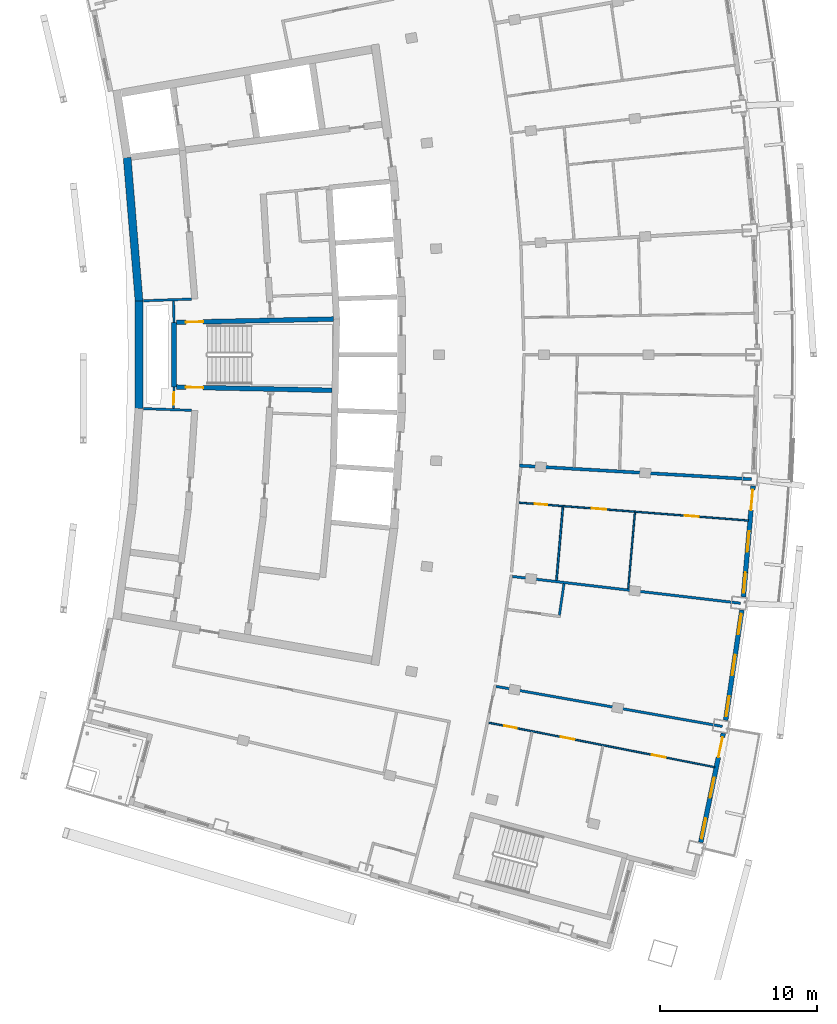
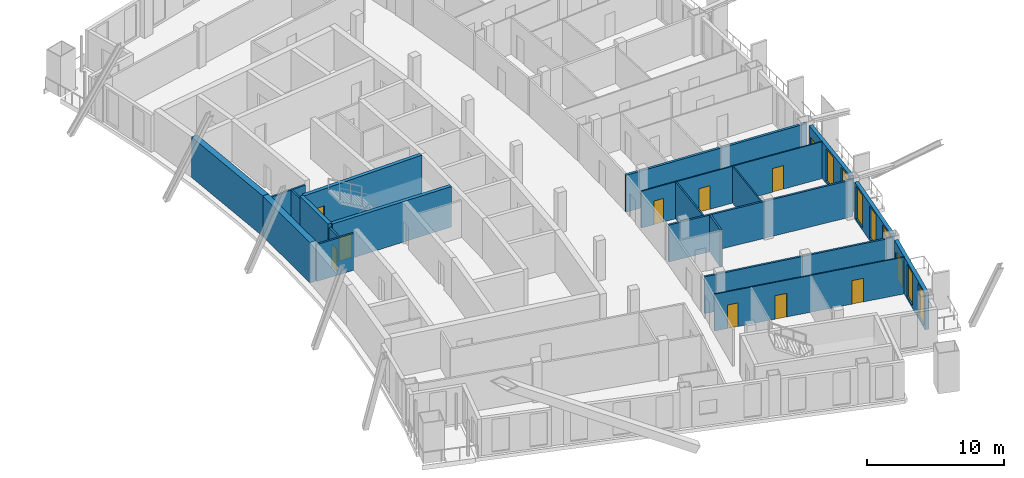
# One storey, part 9 of 17: 20 walls, 11 doors, 7 windows, 18 openings.
"""IFC4 building model written with IfcOpenShell, lengths in metres."""

from ifc_helpers import new_model, si_unit, direction, frame, frame_2d, origin, place, context, subcontext, project, spatial, rectangle, extrude, material, layer, layer_set, type_object, element, fill, save


model = new_model("IFC4")

# Units and contexts
model_context = context("Model", 3, precision=1e-05, world=origin(), true_north=direction((0.0, 1.0)))
body_context = subcontext(model_context, "Body", "Model", "MODEL_VIEW")
ifc_project = project(units=[si_unit("LENGTHUNIT", "METRE"), si_unit("AREAUNIT", "SQUARE_METRE"), si_unit("VOLUMEUNIT", "CUBIC_METRE"), si_unit("PLANEANGLEUNIT", "RADIAN"), si_unit("MASSUNIT", "GRAM", prefix="KILO")], contexts=[model_context])

# Site, building, storey
site_placement = place(None, origin())
site = spatial("IfcSite", under=ifc_project, at=site_placement, CompositionType="ELEMENT")
building_placement = place(site_placement, origin())
building = spatial("IfcBuilding", under=site, at=building_placement, Name="Alderwake Tower", CompositionType="ELEMENT")
storey_placement = place(building_placement, frame((0.0, 0.0, 278.0)))
storey = spatial("IfcBuildingStorey", under=building, at=storey_placement, Name="L69", CompositionType="ELEMENT", Elevation=278.0)

# Wall, opening, door
ifc_material_1 = material(Name="Gypsum shaft wall system, rated")
ifc_layer_1 = layer(ifc_material_1, 0.14990234375)
ifc_layer_set_1 = layer_set([ifc_layer_1], Name="Core room partition 150")
wall_type_1 = type_object("IfcWallType", Name="Core room partition 150", PredefinedType="PARTITIONING", material=ifc_layer_set_1)
wall_1_placement = place(storey_placement, frame((18.918701171875, 58.94384765625, 0.0), z_axis=(0.0, 0.0, 1.0), x_axis=(-0.027811602725, -0.999613182563, 0.0)))
wall_1 = element("IfcWall", 1, at=wall_1_placement, inside=storey, type_object=wall_type_1, Name="CW/L69/PA+24_-37", PredefinedType="PARTITIONING", context=body_context, shape_type="SweptSolid", body=[
    extrude(rectangle(XDim=1.369384765625, YDim=0.14990234375, at=frame_2d((0.6845703125, 0.0))), origin(), (0.0, 0.0, 1.0), 3.280029296875),
])
opening_1_placement = place(wall_1_placement, frame((0.322998046875, 0.0, 0.0)))
opening_1 = element("IfcOpeningElement", 2, at=opening_1_placement, cuts=wall_1, Name="Opening C004", PredefinedType="OPENING", context=body_context, shape_type="SweptSolid", body=[
    extrude(rectangle(XDim=0.800048828125, YDim=2.0, at=frame_2d((0.39990234375, 1.0))), frame((0.0, 0.0849609375, 0.0), z_axis=(0.0, -1.0, 0.0), x_axis=(1.0, 0.0, 0.0)), (0.0, 0.0, 1.0), 0.169921875),
])
ifc_material_2 = material(Name="Painted steel leaf, rated", Category="steel")
door_type_1 = type_object("IfcDoorType", Name="Riser access door 800", OperationType="SINGLE_SWING_LEFT", PredefinedType="DOOR", material=ifc_material_2)
door_1_placement = place(opening_1_placement, origin())
door_1 = element("IfcDoor", 3, at=door_1_placement, inside=storey, type_object=door_type_1, Name="Riser access door", OperationType="SINGLE_SWING_RIGHT", OverallHeight=2.0, OverallWidth=0.800048828125, PredefinedType="DOOR", context=body_context, shape_type="SweptSolid", body=[
    extrude(rectangle(XDim=0.800048828125, YDim=2.0, at=frame_2d((0.39990234375, 1.0))), frame((0.0, 0.02490234375, 0.0), z_axis=(0.0, -1.0, 0.0), x_axis=(1.0, 0.0, 0.0)), (0.0, 0.0, 1.0), 0.050048828125),
])
fill(opening_1, door_1)

# Walls
wall_2_placement = place(storey_placement, frame((18.918701171875, 63.05517578125, 0.0), z_axis=(0.0, 0.0, 1.0), x_axis=(-0.027791791559, 0.99961373356, 0.0)))
element("IfcWall", 4, at=wall_2_placement, inside=storey, type_object=wall_type_1, Name="CW/L69/PA+24_+22", PredefinedType="PARTITIONING", context=body_context, shape_type="SweptSolid", body=[
    extrude(rectangle(XDim=1.370361328125, YDim=0.14990234375, at=frame_2d((0.68505859375, 0.0))), origin(), (0.0, 0.0, 1.0), 3.280029296875),
])
for number, where, z_axis, x_axis, name in (
    (5, (16.969482421875, 57.5673828125, 0.0), (0.0, 0.0, 1.0), (0.999376258731, -0.035314210814, 0.0), "CW/L69/PR-37_+0"),
    (6, (16.969482421875, 64.4326171875, 0.0), (0.0, 0.0, 1.0), (0.999376258731, 0.035314210814, 0.0), "CW/L69/PR+37_+0"),
):
    element("IfcWall", number, at=place(storey_placement, frame(where, z_axis=z_axis, x_axis=x_axis)), inside=storey, type_object=wall_type_1, Name=name, PredefinedType="PARTITIONING", context=body_context, shape_type="SweptSolid", body=[
        extrude(rectangle(XDim=3.069580078125, YDim=0.14990234375, at=frame_2d((1.53466796875, 0.0))), origin(), (0.0, 0.0, 1.0), 3.280029296875),
    ])
ifc_material_3 = material(Name="Concrete C70/85", Category="concrete")
ifc_layer_2 = layer(ifc_material_3, 0.5)
ifc_layer_set_2 = layer_set([ifc_layer_2], Name="Core wall outer 500 C70-85")
wall_type_2 = type_object("IfcWallType", Name="Core wall outer 500 C70-85", PredefinedType="SHEAR", material=ifc_layer_set_2)
wall_3_placement = place(storey_placement, frame((16.689453125, 57.568603515625, 0.0), z_axis=(0.0, 0.0, 1.0), x_axis=(0.0, 1.0, 0.0)))
element("IfcWall", 7, at=wall_3_placement, inside=storey, type_object=wall_type_2, Name="Core wall CW.029", PredefinedType="SHEAR", context=body_context, shape_type="SweptSolid", body=[
    extrude(rectangle(XDim=6.86474609375, YDim=0.5, at=frame_2d((3.432373046875, 0.0))), origin(), (0.0, 0.0, 1.0), 3.60009765625),
])
wall_4_placement = place(storey_placement, frame((16.690185546875, 64.41162109375, 0.0), z_axis=(0.0, 0.0, 1.0), x_axis=(-0.082611702064, 0.996581811334, 0.0)))
element("IfcWall", 8, at=wall_4_placement, inside=storey, type_object=wall_type_2, Name="Core wall CW.026", PredefinedType="SHEAR", context=body_context, shape_type="SweptSolid", body=[
    extrude(rectangle(XDim=9.176025390625, YDim=0.5, at=frame_2d((4.587890625, 0.0))), origin(), (0.0, 0.0, 1.0), 3.60009765625),
])
ifc_material_4 = material(Name="Concrete C70/85", Category="concrete")
ifc_layer_3 = layer(ifc_material_4, 0.300048828125)
ifc_layer_set_3 = layer_set([ifc_layer_3], Name="Core wall stair enclosure 300 C70-85")
wall_type_3 = type_object("IfcWallType", Name="Core wall stair enclosure 300 C70-85", PredefinedType="SHEAR", material=ifc_layer_set_3)
wall_5_placement = place(storey_placement, frame((18.918701171875, 58.940673828125, 0.0), z_axis=(0.0, 0.0, 1.0), x_axis=(0.0, 1.0, 0.0)))
element("IfcWall", 9, at=wall_5_placement, inside=storey, type_object=wall_type_3, Name="Core wall CW.024", PredefinedType="SHEAR", context=body_context, shape_type="SweptSolid", body=[
    extrude(rectangle(XDim=4.11962890625, YDim=0.300048828125, at=frame_2d((2.059814453125, 0.0))), origin(), (0.0, 0.0, 1.0), 3.60009765625),
])

# Wall, opening, door
wall_6_placement = place(storey_placement, frame((28.975830078125, 58.733154296875, 0.0), z_axis=(0.0, 0.0, 1.0), x_axis=(-0.999783782948, 0.020793925895, 0.0)))
wall_6 = element("IfcWall", 10, at=wall_6_placement, inside=storey, type_object=wall_type_3, Name="Core wall CW.074", PredefinedType="SHEAR", context=body_context, shape_type="SweptSolid", body=[
    extrude(rectangle(XDim=9.909423828125, YDim=0.300048828125, at=frame_2d((4.95458984375, 0.0))), origin(), (0.0, 0.0, 1.0), 3.60009765625),
])
opening_2_placement = place(wall_6_placement, frame((8.20947265625, 0.0, 0.0)))
opening_2 = element("IfcOpeningElement", 11, at=opening_2_placement, cuts=wall_6, Name="Opening C063", PredefinedType="OPENING", context=body_context, shape_type="SweptSolid", body=[
    extrude(rectangle(XDim=1.10009765625, YDim=2.10009765625, at=frame_2d((0.550048828125, 1.050048828125))), frame((0.0, 0.159912109375, 0.0), z_axis=(0.0, -1.0, 0.0), x_axis=(1.0, 0.0, 0.0)), (0.0, 0.0, 1.0), 0.320068359375),
])
ifc_material_5 = material(Name="Steel-framed fire door leaf", Category="steel")
door_type_2 = type_object("IfcDoorType", Name="Core stair door 1100 fire-rated", OperationType="SINGLE_SWING_LEFT", PredefinedType="DOOR", material=ifc_material_5)
door_2_placement = place(opening_2_placement, origin())
door_2 = element("IfcDoor", 12, at=door_2_placement, inside=storey, type_object=door_type_2, Name="Stair door", OperationType="SINGLE_SWING_LEFT", OverallHeight=2.10009765625, OverallWidth=1.10009765625, PredefinedType="DOOR", context=body_context, shape_type="SweptSolid", body=[
    extrude(rectangle(XDim=1.10009765625, YDim=2.10009765625, at=frame_2d((0.550048828125, 1.050048828125))), frame((0.0, 0.02490234375, 0.0), z_axis=(0.0, -1.0, 0.0), x_axis=(1.0, 0.0, 0.0)), (0.0, 0.0, 1.0), 0.050048828125),
])
fill(opening_2, door_2)

wall_7_placement = place(storey_placement, frame((19.068603515625, 63.060791015625, 0.0), z_axis=(0.0, 0.0, 1.0), x_axis=(0.999783553773, 0.02080494185, 0.0)))
wall_7 = element("IfcWall", 13, at=wall_7_placement, inside=storey, type_object=wall_type_3, Name="Core wall CW.057", PredefinedType="SHEAR", context=body_context, shape_type="SweptSolid", body=[
    extrude(rectangle(XDim=10.009765625, YDim=0.300048828125, at=frame_2d((5.0048828125, 0.0))), origin(), (0.0, 0.0, 1.0), 3.60009765625),
])
opening_3_placement = place(wall_7_placement, frame((0.60009765625, 0.0, 0.0)))
opening_3 = element("IfcOpeningElement", 14, at=opening_3_placement, cuts=wall_7, Name="Opening C064", PredefinedType="OPENING", context=body_context, shape_type="SweptSolid", body=[
    extrude(rectangle(XDim=1.10009765625, YDim=2.10009765625, at=frame_2d((0.550048828125, 1.050048828125))), frame((0.0, 0.159912109375, 0.0), z_axis=(0.0, -1.0, 0.0), x_axis=(1.0, 0.0, 0.0)), (0.0, 0.0, 1.0), 0.320068359375),
])
door_3_placement = place(opening_3_placement, origin())
door_3 = element("IfcDoor", 15, at=door_3_placement, inside=storey, type_object=door_type_2, Name="Stair door", OperationType="SINGLE_SWING_RIGHT", OverallHeight=2.10009765625, OverallWidth=1.10009765625, PredefinedType="DOOR", context=body_context, shape_type="SweptSolid", body=[
    extrude(rectangle(XDim=1.10009765625, YDim=2.10009765625, at=frame_2d((0.550048828125, 1.050048828125))), frame((0.0, 0.02490234375, 0.0), z_axis=(0.0, -1.0, 0.0), x_axis=(1.0, 0.0, 0.0)), (0.0, 0.0, 1.0), 0.050048828125),
])
fill(opening_3, door_3)

# Walls
ifc_material_6 = material(Name="Gypsum board on metal studs, rated")
ifc_layer_4 = layer(ifc_material_6, 0.159912109375)
ifc_layer_set_4 = layer_set([ifc_layer_4], Name="Corridor wall 160")
wall_type_4 = type_object("IfcWallType", Name="Corridor wall 160", PredefinedType="PARTITIONING", material=ifc_layer_set_4)
wall_8_placement = place(storey_placement, frame((53.822998046875, 37.337890625, 0.0), z_axis=(0.0, 0.0, 1.0), x_axis=(-0.984729040403, 0.174093988946, 0.0)))
element("IfcWall", 16, at=wall_8_placement, inside=storey, type_object=wall_type_4, Name="WL/L69/W26", PredefinedType="PARTITIONING", context=body_context, shape_type="SweptSolid", body=[
    extrude(rectangle(XDim=14.619384765625, YDim=0.159912109375, at=frame_2d((7.3095703125, 0.0))), origin(), (0.0, 0.0, 1.0), 3.280029296875),
])
wall_9_placement = place(storey_placement, frame((54.97509765625, 45.179931640625, 0.0), z_axis=(0.0, 0.0, 1.0), x_axis=(-0.993183966039, 0.116557323249, 0.0)))
element("IfcWall", 17, at=wall_9_placement, inside=storey, type_object=wall_type_4, Name="WL/L69/W27", PredefinedType="PARTITIONING", context=body_context, shape_type="SweptSolid", body=[
    extrude(rectangle(XDim=14.6181640625, YDim=0.159912109375, at=frame_2d((7.30908203125, 0.0))), origin(), (0.0, 0.0, 1.0), 3.280029296875),
])

# Wall, openings, door, windows
ifc_material_7 = material(Name="Precast concrete C50/60 spandrel panel", Category="concrete")
ifc_layer_5 = layer(ifc_material_7, 0.300048828125)
ifc_layer_set_5 = layer_set([ifc_layer_5], Name="External wall EW1 Precast concrete C50/60 spandrel")
wall_type_5 = type_object("IfcWallType", Name="External wall EW1 Precast concrete C50/60 spandrel", PredefinedType="SOLIDWALL", material=ifc_layer_set_5)
wall_10_placement = place(storey_placement, frame((52.448486328125, 29.955078125, 0.0), z_axis=(0.0, 0.0, 1.0), x_axis=(0.202764970436, 0.979227433625, 0.0)))
wall_10 = element("IfcWall", 18, at=wall_10_placement, inside=storey, type_object=wall_type_5, Name="External wall 12", PredefinedType="SOLIDWALL", context=body_context, shape_type="SweptSolid", body=[
    extrude(rectangle(XDim=7.091796875, YDim=0.300048828125, at=frame_2d((3.5458984375, 0.0))), origin(), (0.0, 0.0, 1.0), 3.280029296875),
])
opening_4_placement = place(wall_10_placement, frame((0.255615234375, 0.0, 0.199951171875)))
opening_4 = element("IfcOpeningElement", 19, at=opening_4_placement, cuts=wall_10, Name="Opening W1", PredefinedType="OPENING", context=body_context, shape_type="SweptSolid", body=[
    extrude(rectangle(XDim=1.300048828125, YDim=2.89990234375, at=frame_2d((0.64990234375, 1.449951171875))), frame((0.0, 0.159912109375, 0.0), z_axis=(0.0, -1.0, 0.0), x_axis=(1.0, 0.0, 0.0)), (0.0, 0.0, 1.0), 0.320068359375),
])
opening_5_placement = place(wall_10_placement, frame((2.895751953125, 0.0, 0.199951171875)))
opening_5 = element("IfcOpeningElement", 20, at=opening_5_placement, cuts=wall_10, Name="Opening W1", PredefinedType="OPENING", context=body_context, shape_type="SweptSolid", body=[
    extrude(rectangle(XDim=1.300048828125, YDim=2.89990234375, at=frame_2d((0.64990234375, 1.449951171875))), frame((0.0, 0.159912109375, 0.0), z_axis=(0.0, -1.0, 0.0), x_axis=(1.0, 0.0, 0.0)), (0.0, 0.0, 1.0), 0.320068359375),
])
opening_6_placement = place(wall_10_placement, frame((5.535888671875, 0.0, 0.0)))
opening_6 = element("IfcOpeningElement", 21, at=opening_6_placement, cuts=wall_10, Name="Opening D02", PredefinedType="OPENING", context=body_context, shape_type="SweptSolid", body=[
    extrude(rectangle(XDim=1.300048828125, YDim=2.39990234375, at=frame_2d((0.64990234375, 1.199951171875))), frame((0.0, 0.159912109375, 0.0), z_axis=(0.0, -1.0, 0.0), x_axis=(1.0, 0.0, 0.0)), (0.0, 0.0, 1.0), 0.320068359375),
])
ifc_material_8 = material(Name="Bronze tinted glass in aluminium frame", Category="aluminium")
door_type_3 = type_object("IfcDoorType", Name="Balcony door BD sliding", OperationType="SLIDING_TO_LEFT", PredefinedType="DOOR", material=ifc_material_8)
door_4_placement = place(opening_6_placement, origin())
door_4 = element("IfcDoor", 22, at=door_4_placement, inside=storey, type_object=door_type_3, Name="Door D02", OperationType="SLIDING_TO_LEFT", OverallHeight=2.39990234375, OverallWidth=1.300048828125, PredefinedType="DOOR", context=body_context, shape_type="SweptSolid", body=[
    extrude(rectangle(XDim=1.300048828125, YDim=2.39990234375, at=frame_2d((0.64990234375, 1.199951171875))), frame((0.0, 0.02490234375, 0.0), z_axis=(0.0, -1.0, 0.0), x_axis=(1.0, 0.0, 0.0)), (0.0, 0.0, 1.0), 0.050048828125),
])
fill(opening_6, door_4)
ifc_material_9 = material(Name="Bronze tinted glass in aluminium frame", Category="aluminium")
window_type = type_object("IfcWindowType", Name="Window W1 tall fixed and vent", PartitioningType="DOUBLE_PANEL_VERTICAL", PredefinedType="WINDOW", material=ifc_material_9)
window_1_placement = place(opening_4_placement, origin())
window_1 = element("IfcWindow", 23, at=window_1_placement, inside=storey, type_object=window_type, Name="Window W1 tall fixed and vent", OverallHeight=2.89990234375, OverallWidth=1.300048828125, PartitioningType="DOUBLE_PANEL_VERTICAL", PredefinedType="WINDOW", context=body_context, shape_type="SweptSolid", body=[
    extrude(rectangle(XDim=1.300048828125, YDim=2.89990234375, at=frame_2d((0.64990234375, 1.449951171875))), frame((0.0, 0.030029296875, 0.0), z_axis=(0.0, -1.0, 0.0), x_axis=(1.0, 0.0, 0.0)), (0.0, 0.0, 1.0), 0.06005859375),
])
fill(opening_4, window_1)
window_2_placement = place(opening_5_placement, origin())
window_2 = element("IfcWindow", 24, at=window_2_placement, inside=storey, type_object=window_type, Name="Window W1 tall fixed and vent", OverallHeight=2.89990234375, OverallWidth=1.300048828125, PartitioningType="DOUBLE_PANEL_VERTICAL", PredefinedType="WINDOW", context=body_context, shape_type="SweptSolid", body=[
    extrude(rectangle(XDim=1.300048828125, YDim=2.89990234375, at=frame_2d((0.64990234375, 1.449951171875))), frame((0.0, 0.030029296875, 0.0), z_axis=(0.0, -1.0, 0.0), x_axis=(1.0, 0.0, 0.0)), (0.0, 0.0, 1.0), 0.06005859375),
])
fill(opening_5, window_2)

# Wall, openings, windows
wall_11_placement = place(storey_placement, frame((54.033203125, 37.729736328125, 0.0), z_axis=(0.0, 0.0, 1.0), x_axis=(0.145309647342, 0.989386227107, 0.0)))
wall_11 = element("IfcWall", 25, at=wall_11_placement, inside=storey, type_object=wall_type_5, Name="External wall 13", PredefinedType="SOLIDWALL", context=body_context, shape_type="SweptSolid", body=[
    extrude(rectangle(XDim=7.091796875, YDim=0.300048828125, at=frame_2d((3.5458984375, 0.0))), origin(), (0.0, 0.0, 1.0), 3.280029296875),
])
opening_7_placement = place(wall_11_placement, frame((0.255615234375, 0.0, 0.199951171875)))
opening_7 = element("IfcOpeningElement", 26, at=opening_7_placement, cuts=wall_11, Name="Opening W1", PredefinedType="OPENING", context=body_context, shape_type="SweptSolid", body=[
    extrude(rectangle(XDim=1.300048828125, YDim=2.89990234375, at=frame_2d((0.64990234375, 1.449951171875))), frame((0.0, 0.159912109375, 0.0), z_axis=(0.0, -1.0, 0.0), x_axis=(1.0, 0.0, 0.0)), (0.0, 0.0, 1.0), 0.320068359375),
])
opening_8_placement = place(wall_11_placement, frame((2.89599609375, 0.0, 0.199951171875)))
opening_8 = element("IfcOpeningElement", 27, at=opening_8_placement, cuts=wall_11, Name="Opening W1", PredefinedType="OPENING", context=body_context, shape_type="SweptSolid", body=[
    extrude(rectangle(XDim=1.300048828125, YDim=2.89990234375, at=frame_2d((0.64990234375, 1.449951171875))), frame((0.0, 0.159912109375, 0.0), z_axis=(0.0, -1.0, 0.0), x_axis=(1.0, 0.0, 0.0)), (0.0, 0.0, 1.0), 0.320068359375),
])
opening_9_placement = place(wall_11_placement, frame((5.5361328125, 0.0, 0.199951171875)))
opening_9 = element("IfcOpeningElement", 28, at=opening_9_placement, cuts=wall_11, Name="Opening W1", PredefinedType="OPENING", context=body_context, shape_type="SweptSolid", body=[
    extrude(rectangle(XDim=1.300048828125, YDim=2.89990234375, at=frame_2d((0.64990234375, 1.449951171875))), frame((0.0, 0.159912109375, 0.0), z_axis=(0.0, -1.0, 0.0), x_axis=(1.0, 0.0, 0.0)), (0.0, 0.0, 1.0), 0.320068359375),
])
window_3_placement = place(opening_7_placement, origin())
window_3 = element("IfcWindow", 29, at=window_3_placement, inside=storey, type_object=window_type, Name="Window W1 tall fixed and vent", OverallHeight=2.89990234375, OverallWidth=1.300048828125, PartitioningType="DOUBLE_PANEL_VERTICAL", PredefinedType="WINDOW", context=body_context, shape_type="SweptSolid", body=[
    extrude(rectangle(XDim=1.300048828125, YDim=2.89990234375, at=frame_2d((0.64990234375, 1.449951171875))), frame((0.0, 0.030029296875, 0.0), z_axis=(0.0, -1.0, 0.0), x_axis=(1.0, 0.0, 0.0)), (0.0, 0.0, 1.0), 0.06005859375),
])
fill(opening_7, window_3)
window_4_placement = place(opening_8_placement, origin())
window_4 = element("IfcWindow", 30, at=window_4_placement, inside=storey, type_object=window_type, Name="Window W1 tall fixed and vent", OverallHeight=2.89990234375, OverallWidth=1.300048828125, PartitioningType="DOUBLE_PANEL_VERTICAL", PredefinedType="WINDOW", context=body_context, shape_type="SweptSolid", body=[
    extrude(rectangle(XDim=1.300048828125, YDim=2.89990234375, at=frame_2d((0.64990234375, 1.449951171875))), frame((0.0, 0.030029296875, 0.0), z_axis=(0.0, -1.0, 0.0), x_axis=(1.0, 0.0, 0.0)), (0.0, 0.0, 1.0), 0.06005859375),
])
fill(opening_8, window_4)
window_5_placement = place(opening_9_placement, origin())
window_5 = element("IfcWindow", 31, at=window_5_placement, inside=storey, type_object=window_type, Name="Window W1 tall fixed and vent", OverallHeight=2.89990234375, OverallWidth=1.300048828125, PartitioningType="DOUBLE_PANEL_VERTICAL", PredefinedType="WINDOW", context=body_context, shape_type="SweptSolid", body=[
    extrude(rectangle(XDim=1.300048828125, YDim=2.89990234375, at=frame_2d((0.64990234375, 1.449951171875))), frame((0.0, 0.030029296875, 0.0), z_axis=(0.0, -1.0, 0.0), x_axis=(1.0, 0.0, 0.0)), (0.0, 0.0, 1.0), 0.06005859375),
])
fill(opening_9, window_5)

# Wall, openings, door, windows
wall_12_placement = place(storey_placement, frame((55.162109375, 45.58349609375, 0.0), z_axis=(0.0, 0.0, 1.0), x_axis=(0.087372360108, 0.996175722796, 0.0)))
wall_12 = element("IfcWall", 32, at=wall_12_placement, inside=storey, type_object=wall_type_5, Name="External wall 14", PredefinedType="SOLIDWALL", context=body_context, shape_type="SweptSolid", body=[
    extrude(rectangle(XDim=7.091796875, YDim=0.300048828125, at=frame_2d((3.5458984375, 0.0))), origin(), (0.0, 0.0, 1.0), 3.280029296875),
])
opening_10_placement = place(wall_12_placement, frame((0.255615234375, 0.0, 0.199951171875)))
opening_10 = element("IfcOpeningElement", 33, at=opening_10_placement, cuts=wall_12, Name="Opening W1", PredefinedType="OPENING", context=body_context, shape_type="SweptSolid", body=[
    extrude(rectangle(XDim=1.300048828125, YDim=2.89990234375, at=frame_2d((0.64990234375, 1.449951171875))), frame((0.0, 0.159912109375, 0.0), z_axis=(0.0, -1.0, 0.0), x_axis=(1.0, 0.0, 0.0)), (0.0, 0.0, 1.0), 0.320068359375),
])
opening_11_placement = place(wall_12_placement, frame((2.895751953125, 0.0, 0.199951171875)))
opening_11 = element("IfcOpeningElement", 34, at=opening_11_placement, cuts=wall_12, Name="Opening W1", PredefinedType="OPENING", context=body_context, shape_type="SweptSolid", body=[
    extrude(rectangle(XDim=1.300048828125, YDim=2.89990234375, at=frame_2d((0.64990234375, 1.449951171875))), frame((0.0, 0.159912109375, 0.0), z_axis=(0.0, -1.0, 0.0), x_axis=(1.0, 0.0, 0.0)), (0.0, 0.0, 1.0), 0.320068359375),
])
opening_12_placement = place(wall_12_placement, frame((5.535888671875, 0.0, 0.0)))
opening_12 = element("IfcOpeningElement", 35, at=opening_12_placement, cuts=wall_12, Name="Opening D03", PredefinedType="OPENING", context=body_context, shape_type="SweptSolid", body=[
    extrude(rectangle(XDim=1.300048828125, YDim=2.39990234375, at=frame_2d((0.64990234375, 1.199951171875))), frame((0.0, 0.159912109375, 0.0), z_axis=(0.0, -1.0, 0.0), x_axis=(1.0, 0.0, 0.0)), (0.0, 0.0, 1.0), 0.320068359375),
])
door_5_placement = place(opening_12_placement, origin())
door_5 = element("IfcDoor", 36, at=door_5_placement, inside=storey, type_object=door_type_3, Name="Door D03", OperationType="SLIDING_TO_LEFT", OverallHeight=2.39990234375, OverallWidth=1.300048828125, PredefinedType="DOOR", context=body_context, shape_type="SweptSolid", body=[
    extrude(rectangle(XDim=1.300048828125, YDim=2.39990234375, at=frame_2d((0.64990234375, 1.199951171875))), frame((0.0, 0.02490234375, 0.0), z_axis=(0.0, -1.0, 0.0), x_axis=(1.0, 0.0, 0.0)), (0.0, 0.0, 1.0), 0.050048828125),
])
fill(opening_12, door_5)
window_6_placement = place(opening_10_placement, origin())
window_6 = element("IfcWindow", 37, at=window_6_placement, inside=storey, type_object=window_type, Name="Window W1 tall fixed and vent", OverallHeight=2.89990234375, OverallWidth=1.300048828125, PartitioningType="DOUBLE_PANEL_VERTICAL", PredefinedType="WINDOW", context=body_context, shape_type="SweptSolid", body=[
    extrude(rectangle(XDim=1.300048828125, YDim=2.89990234375, at=frame_2d((0.64990234375, 1.449951171875))), frame((0.0, 0.030029296875, 0.0), z_axis=(0.0, -1.0, 0.0), x_axis=(1.0, 0.0, 0.0)), (0.0, 0.0, 1.0), 0.06005859375),
])
fill(opening_10, window_6)
window_7_placement = place(opening_11_placement, origin())
window_7 = element("IfcWindow", 38, at=window_7_placement, inside=storey, type_object=window_type, Name="Window W1 tall fixed and vent", OverallHeight=2.89990234375, OverallWidth=1.300048828125, PartitioningType="DOUBLE_PANEL_VERTICAL", PredefinedType="WINDOW", context=body_context, shape_type="SweptSolid", body=[
    extrude(rectangle(XDim=1.300048828125, YDim=2.89990234375, at=frame_2d((0.64990234375, 1.449951171875))), frame((0.0, 0.030029296875, 0.0), z_axis=(0.0, -1.0, 0.0), x_axis=(1.0, 0.0, 0.0)), (0.0, 0.0, 1.0), 0.06005859375),
])
fill(opening_11, window_7)

# Walls
ifc_material_10 = material(Name="Dense block masonry wall", Category="masonry")
ifc_layer_6 = layer(ifc_material_10, 0.199951171875)
ifc_layer_set_6 = layer_set([ifc_layer_6], Name="Party wall 200")
wall_type_6 = type_object("IfcWallType", Name="Party wall 200", PredefinedType="SOLIDWALL", material=ifc_layer_set_6)
wall_13_placement = place(storey_placement, frame((55.66796875, 53.075927734375, 0.0), z_axis=(0.0, 0.0, 1.0), x_axis=(-0.998294254035, 0.058383065694, 0.0)))
element("IfcWall", 39, at=wall_13_placement, inside=storey, type_object=wall_type_6, Name="WL/L69/W02", PredefinedType="SOLIDWALL", context=body_context, shape_type="SweptSolid", body=[
    extrude(rectangle(XDim=14.778076171875, YDim=0.199951171875, at=frame_2d((7.38916015625, 0.0))), origin(), (0.0, 0.0, 1.0), 3.280029296875),
])
ifc_material_11 = material(Name="Gypsum shaft wall system, rated")
ifc_layer_7 = layer(ifc_material_11, 0.14990234375)
ifc_layer_set_7 = layer_set([ifc_layer_7], Name="Riser and shaft wall 150")
wall_type_7 = type_object("IfcWallType", Name="Riser and shaft wall 150", PredefinedType="PARTITIONING", material=ifc_layer_set_7)
wall_14_placement = place(storey_placement, frame((43.44775390625, 44.414306640625, 0.0), z_axis=(0.0, 0.0, 1.0), x_axis=(0.144577466262, 0.989493484693, 0.0)))
element("IfcWall", 40, at=wall_14_placement, inside=storey, type_object=wall_type_7, Name="WL/L69/W07", PredefinedType="PARTITIONING", context=body_context, shape_type="SweptSolid", body=[
    extrude(rectangle(XDim=2.024658203125, YDim=0.14990234375, at=frame_2d((1.01220703125, 0.0))), origin(), (0.0, 0.0, 1.0), 3.280029296875),
])

# Wall, openings, doors
ifc_material_12 = material(Name="Gypsum board on metal studs")
ifc_layer_8 = layer(ifc_material_12, 0.10009765625)
ifc_layer_set_8 = layer_set([ifc_layer_8], Name="Unit partition 100")
wall_type_8 = type_object("IfcWallType", Name="Unit partition 100", PredefinedType="PARTITIONING", material=ifc_layer_set_8)
wall_15_placement = place(storey_placement, frame((53.3369140625, 34.742919921875, 0.0), z_axis=(0.0, 0.0, 1.0), x_axis=(-0.981175480295, 0.193118297601, 0.0)))
wall_15 = element("IfcWall", 41, at=wall_15_placement, inside=storey, type_object=wall_type_8, Name="WL/L69/W42", PredefinedType="PARTITIONING", context=body_context, shape_type="SweptSolid", body=[
    extrude(rectangle(XDim=14.66357421875, YDim=0.10009765625, at=frame_2d((7.331787109375, 0.0))), origin(), (0.0, 0.0, 1.0), 3.280029296875),
])
opening_13_placement = place(wall_15_placement, frame((9.09619140625, 0.0, 0.0)))
opening_13 = element("IfcOpeningElement", 42, at=opening_13_placement, cuts=wall_15, Name="Opening R20-U03.1", PredefinedType="OPENING", context=body_context, shape_type="SweptSolid", body=[
    extrude(rectangle(XDim=0.89990234375, YDim=2.10009765625, at=frame_2d((0.449951171875, 1.050048828125))), frame((0.0, 0.06005859375, 0.0), z_axis=(0.0, -1.0, 0.0), x_axis=(1.0, 0.0, 0.0)), (0.0, 0.0, 1.0), 0.1201171875),
])
opening_14_placement = place(wall_15_placement, frame((12.85400390625, 0.0, 0.0)))
opening_14 = element("IfcOpeningElement", 43, at=opening_14_placement, cuts=wall_15, Name="Opening R20-U03.3", PredefinedType="OPENING", context=body_context, shape_type="SweptSolid", body=[
    extrude(rectangle(XDim=0.800048828125, YDim=2.10009765625, at=frame_2d((0.39990234375, 1.050048828125))), frame((0.0, 0.06005859375, 0.0), z_axis=(0.0, -1.0, 0.0), x_axis=(1.0, 0.0, 0.0)), (0.0, 0.0, 1.0), 0.1201171875),
])
opening_15_placement = place(wall_15_placement, frame((3.17431640625, 0.0, 0.0)))
opening_15 = element("IfcOpeningElement", 44, at=opening_15_placement, cuts=wall_15, Name="Opening R20-U03.4", PredefinedType="OPENING", context=body_context, shape_type="SweptSolid", body=[
    extrude(rectangle(XDim=0.89990234375, YDim=2.10009765625, at=frame_2d((0.449951171875, 1.050048828125))), frame((0.0, 0.06005859375, 0.0), z_axis=(0.0, -1.0, 0.0), x_axis=(1.0, 0.0, 0.0)), (0.0, 0.0, 1.0), 0.1201171875),
])
ifc_material_13 = material(Name="Painted timber leaf", Category="wood")
door_type_4 = type_object("IfcDoorType", Name="Bathroom door 800", OperationType="SINGLE_SWING_LEFT", PredefinedType="DOOR", material=ifc_material_13)
door_6_placement = place(opening_14_placement, origin())
door_6 = element("IfcDoor", 45, at=door_6_placement, inside=storey, type_object=door_type_4, Name="DR/L69/U03.3", OperationType="SINGLE_SWING_LEFT", OverallHeight=2.10009765625, OverallWidth=0.800048828125, PredefinedType="DOOR", context=body_context, shape_type="SweptSolid", body=[
    extrude(rectangle(XDim=0.800048828125, YDim=2.10009765625, at=frame_2d((0.39990234375, 1.050048828125))), frame((0.0, 0.02490234375, 0.0), z_axis=(0.0, -1.0, 0.0), x_axis=(1.0, 0.0, 0.0)), (0.0, 0.0, 1.0), 0.050048828125),
])
fill(opening_14, door_6)
ifc_material_14 = material(Name="Painted timber leaf", Category="wood")
door_type_5 = type_object("IfcDoorType", Name="Room door 900", OperationType="SINGLE_SWING_LEFT", PredefinedType="DOOR", material=ifc_material_14)
door_7_placement = place(opening_13_placement, origin())
door_7 = element("IfcDoor", 46, at=door_7_placement, inside=storey, type_object=door_type_5, Name="DR/L69/U03.1", OperationType="SINGLE_SWING_LEFT", OverallHeight=2.10009765625, OverallWidth=0.89990234375, PredefinedType="DOOR", context=body_context, shape_type="SweptSolid", body=[
    extrude(rectangle(XDim=0.89990234375, YDim=2.10009765625, at=frame_2d((0.449951171875, 1.050048828125))), frame((0.0, 0.02490234375, 0.0), z_axis=(0.0, -1.0, 0.0), x_axis=(1.0, 0.0, 0.0)), (0.0, 0.0, 1.0), 0.050048828125),
])
fill(opening_13, door_7)
door_8_placement = place(opening_15_placement, origin())
door_8 = element("IfcDoor", 47, at=door_8_placement, inside=storey, type_object=door_type_5, Name="DR/L69/U03.4", OperationType="SINGLE_SWING_LEFT", OverallHeight=2.10009765625, OverallWidth=0.89990234375, PredefinedType="DOOR", context=body_context, shape_type="SweptSolid", body=[
    extrude(rectangle(XDim=0.89990234375, YDim=2.10009765625, at=frame_2d((0.449951171875, 1.050048828125))), frame((0.0, 0.02490234375, 0.0), z_axis=(0.0, -1.0, 0.0), x_axis=(1.0, 0.0, 0.0)), (0.0, 0.0, 1.0), 0.050048828125),
])
fill(opening_15, door_8)

wall_16_placement = place(storey_placement, frame((55.485107421875, 50.44189453125, 0.0), z_axis=(0.0, 0.0, 1.0), x_axis=(-0.996973122139, 0.077746985357, 0.0)))
wall_16 = element("IfcWall", 48, at=wall_16_placement, inside=storey, type_object=wall_type_8, Name="WL/L69/W45", PredefinedType="PARTITIONING", context=body_context, shape_type="SweptSolid", body=[
    extrude(rectangle(XDim=14.66162109375, YDim=0.10009765625, at=frame_2d((7.330810546875, 0.0))), origin(), (0.0, 0.0, 1.0), 3.280029296875),
])
opening_16_placement = place(wall_16_placement, frame((9.093994140625, 0.0, 0.0)))
opening_16 = element("IfcOpeningElement", 49, at=opening_16_placement, cuts=wall_16, Name="Opening R20-U04.1", PredefinedType="OPENING", context=body_context, shape_type="SweptSolid", body=[
    extrude(rectangle(XDim=0.89990234375, YDim=2.10009765625, at=frame_2d((0.449951171875, 1.050048828125))), frame((0.0, 0.06005859375, 0.0), z_axis=(0.0, -1.0, 0.0), x_axis=(1.0, 0.0, 0.0)), (0.0, 0.0, 1.0), 0.1201171875),
])
opening_17_placement = place(wall_16_placement, frame((12.85205078125, 0.0, 0.0)))
opening_17 = element("IfcOpeningElement", 50, at=opening_17_placement, cuts=wall_16, Name="Opening R20-U04.3", PredefinedType="OPENING", context=body_context, shape_type="SweptSolid", body=[
    extrude(rectangle(XDim=0.800048828125, YDim=2.10009765625, at=frame_2d((0.39990234375, 1.050048828125))), frame((0.0, 0.06005859375, 0.0), z_axis=(0.0, -1.0, 0.0), x_axis=(1.0, 0.0, 0.0)), (0.0, 0.0, 1.0), 0.1201171875),
])
opening_18_placement = place(wall_16_placement, frame((3.1728515625, 0.0, 0.0)))
opening_18 = element("IfcOpeningElement", 51, at=opening_18_placement, cuts=wall_16, Name="Opening R20-U04.4", PredefinedType="OPENING", context=body_context, shape_type="SweptSolid", body=[
    extrude(rectangle(XDim=0.89990234375, YDim=2.10009765625, at=frame_2d((0.449951171875, 1.050048828125))), frame((0.0, 0.06005859375, 0.0), z_axis=(0.0, -1.0, 0.0), x_axis=(1.0, 0.0, 0.0)), (0.0, 0.0, 1.0), 0.1201171875),
])
door_9_placement = place(opening_17_placement, origin())
door_9 = element("IfcDoor", 52, at=door_9_placement, inside=storey, type_object=door_type_4, Name="DR/L69/U04.3", OperationType="SINGLE_SWING_LEFT", OverallHeight=2.10009765625, OverallWidth=0.800048828125, PredefinedType="DOOR", context=body_context, shape_type="SweptSolid", body=[
    extrude(rectangle(XDim=0.800048828125, YDim=2.10009765625, at=frame_2d((0.39990234375, 1.050048828125))), frame((0.0, 0.02490234375, 0.0), z_axis=(0.0, -1.0, 0.0), x_axis=(1.0, 0.0, 0.0)), (0.0, 0.0, 1.0), 0.050048828125),
])
fill(opening_17, door_9)
door_10_placement = place(opening_16_placement, origin())
door_10 = element("IfcDoor", 53, at=door_10_placement, inside=storey, type_object=door_type_5, Name="DR/L69/U04.1", OperationType="SINGLE_SWING_LEFT", OverallHeight=2.10009765625, OverallWidth=0.89990234375, PredefinedType="DOOR", context=body_context, shape_type="SweptSolid", body=[
    extrude(rectangle(XDim=0.89990234375, YDim=2.10009765625, at=frame_2d((0.449951171875, 1.050048828125))), frame((0.0, 0.02490234375, 0.0), z_axis=(0.0, -1.0, 0.0), x_axis=(1.0, 0.0, 0.0)), (0.0, 0.0, 1.0), 0.050048828125),
])
fill(opening_16, door_10)
door_11_placement = place(opening_18_placement, origin())
door_11 = element("IfcDoor", 54, at=door_11_placement, inside=storey, type_object=door_type_5, Name="DR/L69/U04.4", OperationType="SINGLE_SWING_LEFT", OverallHeight=2.10009765625, OverallWidth=0.89990234375, PredefinedType="DOOR", context=body_context, shape_type="SweptSolid", body=[
    extrude(rectangle(XDim=0.89990234375, YDim=2.10009765625, at=frame_2d((0.449951171875, 1.050048828125))), frame((0.0, 0.02490234375, 0.0), z_axis=(0.0, -1.0, 0.0), x_axis=(1.0, 0.0, 0.0)), (0.0, 0.0, 1.0), 0.050048828125),
])
fill(opening_18, door_11)

# Walls
wall_17_placement = place(storey_placement, frame((47.830078125, 46.099609375, 0.0), z_axis=(0.0, 0.0, 1.0), x_axis=(0.08753990397, 0.996161013699, 0.0)))
element("IfcWall", 55, at=wall_17_placement, inside=storey, type_object=wall_type_8, Name="WL/L69/W52", PredefinedType="PARTITIONING", context=body_context, shape_type="SweptSolid", body=[
    extrude(rectangle(XDim=4.872314453125, YDim=0.10009765625, at=frame_2d((2.43603515625, 0.0))), origin(), (0.0, 0.0, 1.0), 3.280029296875),
])
ifc_material_15 = material(Name="Moisture resistant gypsum board on metal studs")
ifc_layer_9 = layer(ifc_material_15, 0.1201171875)
ifc_layer_set_9 = layer_set([ifc_layer_9], Name="Wet room partition 120")
wall_type_9 = type_object("IfcWallType", Name="Wet room partition 120", PredefinedType="PARTITIONING", material=ifc_layer_set_9)
wall_18_placement = place(storey_placement, frame((43.263916015625, 46.6337890625, 0.0), z_axis=(0.0, 0.0, 1.0), x_axis=(0.087060499394, 0.996203026218, 0.0)))
element("IfcWall", 56, at=wall_18_placement, inside=storey, type_object=wall_type_9, Name="WL/L69/W36", PredefinedType="PARTITIONING", context=body_context, shape_type="SweptSolid", body=[
    extrude(rectangle(XDim=4.6943359375, YDim=0.1201171875, at=frame_2d((2.34716796875, 0.0))), origin(), (0.0, 0.0, 1.0), 3.280029296875),
])

save(model, "model.ifc")
